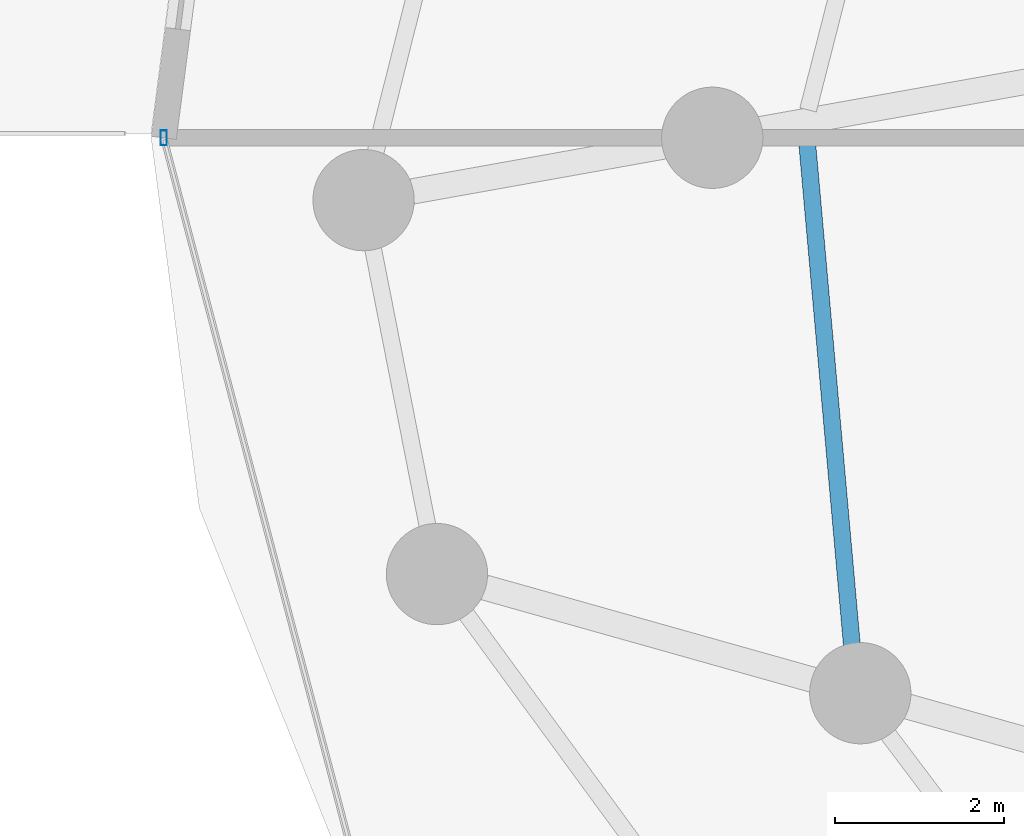
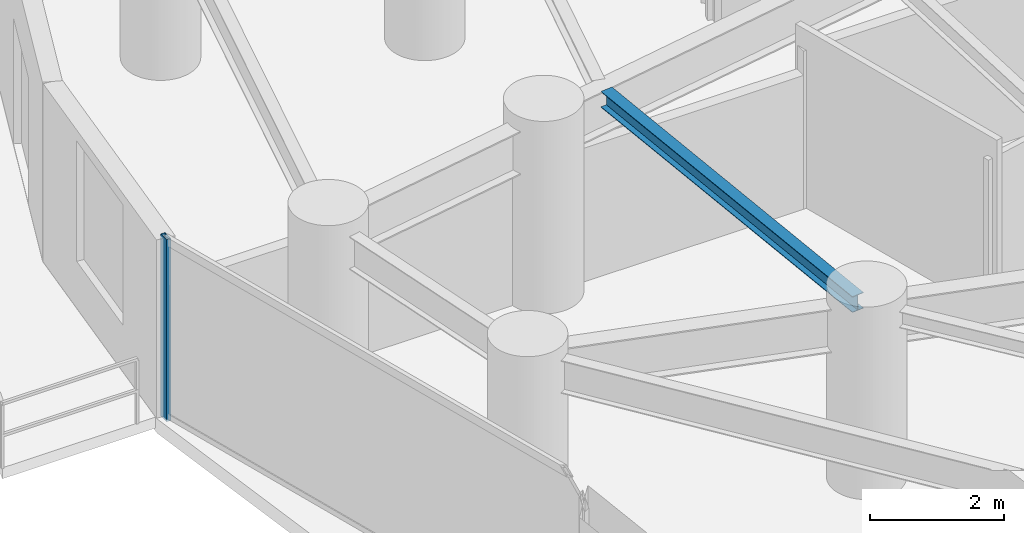
# One storey, part 8 of 34: 1 beam, 1 member, 1 element without a shape of its own.
"""IFC4 building model written with IfcOpenShell, lengths in metres."""

from ifc_helpers import new_model, si_unit, direction, frame, origin, origin_2d, place, context, subcontext, project, spatial, hollow_rectangle, i_section, extrude, material, material_profile, profile_set, type_object, element, aggregate, save


model = new_model("IFC4")

# Units and contexts
model_context = context("Model", 3, precision=1e-05, world=origin(), true_north=direction((0.0, 1.0)))
body_context = subcontext(model_context, "Body", "Model", "MODEL_VIEW")
ifc_project = project(units=[si_unit("LENGTHUNIT", "METRE"), si_unit("AREAUNIT", "SQUARE_METRE"), si_unit("VOLUMEUNIT", "CUBIC_METRE"), si_unit("PLANEANGLEUNIT", "RADIAN"), si_unit("MASSUNIT", "GRAM", prefix="KILO")], contexts=[model_context])

# Site, building, storey
site_placement = place(None, origin())
site = spatial("IfcSite", under=ifc_project, at=site_placement, CompositionType="ELEMENT")
building_placement = place(site_placement, origin())
building = spatial("IfcBuilding", under=site, at=building_placement, Name="Vorneva Point Tower", CompositionType="ELEMENT")
storey_placement = place(building_placement, frame((0.0, 0.0, 62.5)))
storey = spatial("IfcBuildingStorey", under=building, at=storey_placement, Name="L16", CompositionType="ELEMENT", Elevation=62.5)

# Beam
ifc_material_1 = material(Name="Steel S355", Category="steel")
ifc_material_profile_1 = material_profile(ifc_material_1, i_section(OverallWidth=0.199951171875, OverallDepth=0.291015625, WebThickness=0.008056640625, FlangeThickness=0.010986328125, at=origin_2d()), Name="30Sh1")
ifc_profile_set_1 = profile_set([ifc_material_profile_1], Name="Steel S355")
beam_type = type_object("IfcBeamType", Name="BM-SEC-30Sh1", PredefinedType="BEAM", material=ifc_profile_set_1)
beam_placement = place(storey_placement, frame((16.064453125, 26.059814453125, 3.094482421875), z_axis=(0.088684352067, -0.996059780183, 0.0), x_axis=(0.996059780183, 0.088684352067, 0.0)))
element("IfcBeam", 1, at=beam_placement, inside=storey, type_object=beam_type, Name="L16 Secondary Floor Beam 1.09", PredefinedType="BEAM", context=body_context, shape_type="SweptSolid", body=[
    extrude(i_section(OverallWidth=0.199951171875, OverallDepth=0.291015625, WebThickness=0.008056640625, FlangeThickness=0.010986328125, at=origin_2d()), origin(), (0.0, 0.0, 1.0), 6.51611328125),
])

# Curtain wall, member
ifc_material_2 = material(Name="Pale anodised aluminium", Category="aluminium")
curtain_wall_type = type_object("IfcCurtainWallType", Name="CW-HTL-SYS", PredefinedType="NOTDEFINED", material=ifc_material_2)
curtain_wall_placement = place(storey_placement, origin())
curtain_wall = element("IfcCurtainWall", 2, at=curtain_wall_placement, inside=storey, type_object=curtain_wall_type, Name="L16 Unitised Curtain Wall CW-L16-R03", PredefinedType="NOTDEFINED")
ifc_material_profile_2 = material_profile(ifc_material_2, hollow_rectangle(XDim=0.074951171875, YDim=0.179931640625, WallThickness=0.00390625, at=origin_2d()), Name="AL-MUL 180x75x4")
ifc_profile_set_2 = profile_set([ifc_material_profile_2], Name="Pale anodised aluminium")
member_type = type_object("IfcMemberType", Name="CW-MUL-180", PredefinedType="MULLION", material=ifc_profile_set_2)
member_placement = place(storey_placement, frame((8.449951171875, 26.0, -0.0400390625), z_axis=(0.0, 0.0, 1.0), x_axis=(1.0, 0.0, 0.0)))
member = element("IfcMember", 3, at=member_placement, type_object=member_type, Name="CW-L16-R03 Mullion 01", PredefinedType="MULLION", context=body_context, shape_type="SweptSolid", body=[
    extrude(hollow_rectangle(XDim=0.074951171875, YDim=0.179931640625, WallThickness=0.00390625, at=origin_2d()), origin(), (0.0, 0.0, 1.0), 3.31005859375),
])
aggregate(curtain_wall, [member])

save(model, "model.ifc")
